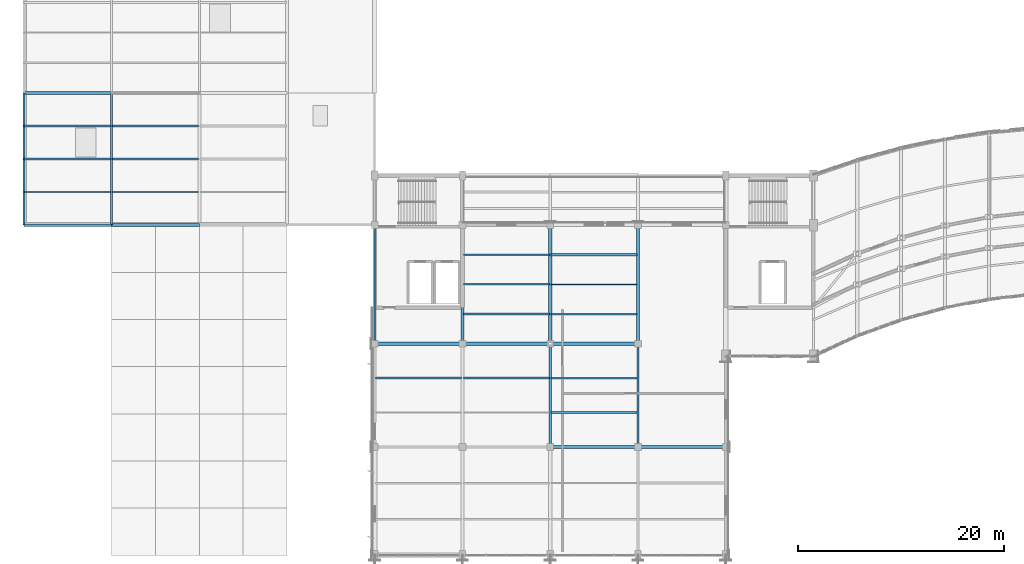
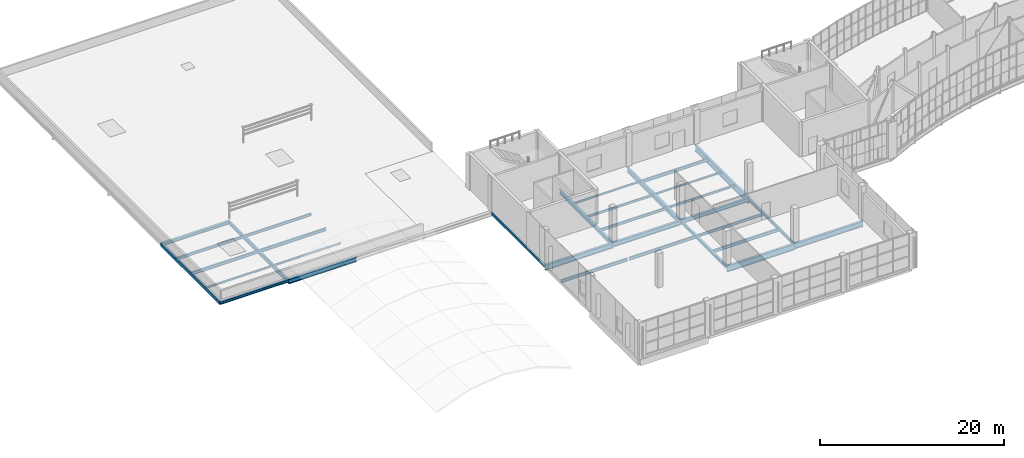
# One storey, part 8 of 66: 32 beams.
"""IFC4 building model written with IfcOpenShell, lengths in metres."""

from ifc_helpers import new_model, si_unit, direction, frame, origin, origin_2d, place, context, subcontext, project, spatial, hollow_rectangle, i_section, extrude, material, material_profile, profile_set, type_object, element, save


model = new_model("IFC4")

# Units and contexts
model_context = context("Model", 3, precision=1e-05, world=origin(), true_north=direction((0.0, 1.0)))
body_context = subcontext(model_context, "Body", "Model", "MODEL_VIEW")
ifc_project = project(units=[si_unit("LENGTHUNIT", "METRE"), si_unit("AREAUNIT", "SQUARE_METRE"), si_unit("VOLUMEUNIT", "CUBIC_METRE"), si_unit("PLANEANGLEUNIT", "RADIAN"), si_unit("MASSUNIT", "GRAM", prefix="KILO")], contexts=[model_context])

# Site, building, storey
site_placement = place(None, origin())
site = spatial("IfcSite", under=ifc_project, at=site_placement, CompositionType="ELEMENT")
building_placement = place(site_placement, origin())
building = spatial("IfcBuilding", under=site, at=building_placement, Name="Solvikara Media Centre", CompositionType="ELEMENT")
storey_placement = place(building_placement, frame((0.0, 0.0, 19.800048828125)))
storey = spatial("IfcBuildingStorey", under=building, at=storey_placement, Name="L04", CompositionType="ELEMENT", Elevation=19.800048828125)

# Beams
ifc_material = material(Name="Steel S355JR", Category="steel")
ifc_material_profile_1 = material_profile(ifc_material, i_section(OverallWidth=0.300048828125, OverallDepth=0.800048828125, WebThickness=0.013916015625, FlangeThickness=0.02587890625, at=origin_2d()), Name="WF 800x300x14x26")
ifc_profile_set_1 = profile_set([ifc_material_profile_1], Name="Steel S355JR")
beam_type_1 = type_object("IfcBeamType", Name="BM-16", PredefinedType="BEAM", material=ifc_profile_set_1)
beam_1_placement = place(storey_placement, frame((51.0, 10.5, -0.68212890625), z_axis=(1.0, 0.0, 0.0), x_axis=(0.0, 1.0, 0.0)))
element("IfcBeam", 1, at=beam_1_placement, inside=storey, type_object=beam_type_1, Name="B-L04-X1443", PredefinedType="BEAM", context=body_context, shape_type="SweptSolid", body=[
    extrude(i_section(OverallWidth=0.300048828125, OverallDepth=0.800048828125, WebThickness=0.013916015625, FlangeThickness=0.02587890625, at=origin_2d()), origin(), (0.0, 0.0, 1.0), 8.5),
])
beam_2_placement = place(storey_placement, frame((59.5, 20.5, -0.68212890625), z_axis=(0.0, 1.0, 0.0), x_axis=(-1.0, 0.0, 0.0)))
element("IfcBeam", 2, at=beam_2_placement, inside=storey, type_object=beam_type_1, Name="B-L04-Y1527", PredefinedType="BEAM", context=body_context, shape_type="SweptSolid", body=[
    extrude(i_section(OverallWidth=0.300048828125, OverallDepth=0.800048828125, WebThickness=0.013916015625, FlangeThickness=0.02587890625, at=origin_2d()), origin(), (0.0, 0.0, 1.0), 11.5),
])
ifc_material_profile_2 = material_profile(ifc_material, i_section(OverallWidth=0.300048828125, OverallDepth=0.699951171875, WebThickness=0.012939453125, FlangeThickness=0.02392578125, at=origin_2d()), Name="WF 700x300x13x24")
ifc_profile_set_2 = profile_set([ifc_material_profile_2], Name="Steel S355JR")
beam_type_2 = type_object("IfcBeamType", Name="BM-17", PredefinedType="BEAM", material=ifc_profile_set_2)
beam_3_placement = place(storey_placement, frame((59.5, 10.5, -0.632080078125), z_axis=(1.0, 0.0, 0.0), x_axis=(0.0, 1.0, 0.0)))
element("IfcBeam", 3, at=beam_3_placement, inside=storey, type_object=beam_type_2, Name="B-L04-X1444", PredefinedType="BEAM", context=body_context, shape_type="SweptSolid", body=[
    extrude(i_section(OverallWidth=0.300048828125, OverallDepth=0.699951171875, WebThickness=0.012939453125, FlangeThickness=0.02392578125, at=origin_2d()), origin(), (0.0, 0.0, 1.0), 8.5),
])
ifc_material_profile_3 = material_profile(ifc_material, i_section(OverallWidth=0.199951171875, OverallDepth=0.39990234375, WebThickness=0.008056640625, FlangeThickness=0.012939453125, at=origin_2d()), Name="WF 400x200x8x13")
ifc_profile_set_3 = profile_set([ifc_material_profile_3], Name="Steel S355JR")
beam_type_3 = type_object("IfcBeamType", Name="BM-21", PredefinedType="JOIST", material=ifc_profile_set_3)
for number, where, z_axis, x_axis, name in (
    (4, (8.577880859375, 38.39990234375, -0.43212890625), (1.0, 0.0, 0.0), (0.0, 1.0, 0.0), "J-L04-1561"),
    (5, (34.077880859375, 17.1669921875, -0.48193359375), (1.0, 0.0, 0.0), (0.0, 1.0, 0.0), "J-L04-1593"),
    (6, (51.077880859375, 29.125, -0.48193359375), (1.0, 0.0, 0.0), (0.0, 1.0, 0.0), "J-L04-1609"),
):
    element("IfcBeam", number, at=place(storey_placement, frame(where, z_axis=z_axis, x_axis=x_axis)), inside=storey, type_object=beam_type_3, Name=name, PredefinedType="JOIST", context=body_context, shape_type="SweptSolid", body=[
        extrude(i_section(OverallWidth=0.199951171875, OverallDepth=0.39990234375, WebThickness=0.008056640625, FlangeThickness=0.012939453125, at=origin_2d()), origin(), (0.0, 0.0, 1.0), 8.34423828125),
    ])
ifc_material_profile_4 = material_profile(ifc_material, i_section(OverallWidth=0.175048828125, OverallDepth=0.35009765625, WebThickness=0.007080078125, FlangeThickness=0.010986328125, at=origin_2d()), Name="WF 350x175x7x11")
ifc_profile_set_4 = profile_set([ifc_material_profile_4], Name="Steel S355JR")
beam_type_4 = type_object("IfcBeamType", Name="BM-22", PredefinedType="JOIST", material=ifc_profile_set_4)
beam_4_placement = place(storey_placement, frame((8.577880859375, 41.60009765625, -0.406982421875), z_axis=(1.0, 0.0, 0.0), x_axis=(0.0, 1.0, 0.0)))
element("IfcBeam", 7, at=beam_4_placement, inside=storey, type_object=beam_type_4, Name="J-L04-1562", PredefinedType="JOIST", context=body_context, shape_type="SweptSolid", body=[
    extrude(i_section(OverallWidth=0.175048828125, OverallDepth=0.35009765625, WebThickness=0.007080078125, FlangeThickness=0.010986328125, at=origin_2d()), origin(), (0.0, 0.0, 1.0), 8.34423828125),
])
ifc_material_profile_5 = material_profile(ifc_material, i_section(OverallWidth=0.125, OverallDepth=0.25, WebThickness=0.006103515625, FlangeThickness=0.009033203125, at=origin_2d()), Name="WF 250x125x6x9")
ifc_profile_set_5 = profile_set([ifc_material_profile_5], Name="Steel S355JR")
beam_type_5 = type_object("IfcBeamType", Name="BM-24", PredefinedType="JOIST", material=ifc_profile_set_5)
beam_5_placement = place(storey_placement, frame((0.0, 35.199951171875, -0.35693359375), z_axis=(1.0, 0.0, 0.0), x_axis=(0.0, 1.0, 0.0)))
element("IfcBeam", 8, at=beam_5_placement, inside=storey, type_object=beam_type_5, Name="J-L04-1548", PredefinedType="JOIST", context=body_context, shape_type="SweptSolid", body=[
    extrude(i_section(OverallWidth=0.125, OverallDepth=0.25, WebThickness=0.006103515625, FlangeThickness=0.009033203125, at=origin_2d()), origin(), (0.0, 0.0, 1.0), 8.422119140625),
])
ifc_material_profile_6 = material_profile(ifc_material, i_section(OverallWidth=0.300048828125, OverallDepth=0.69189453125, WebThickness=0.012939453125, FlangeThickness=0.02001953125, at=origin_2d()), Name="H 692x300x13x20")
ifc_profile_set_6 = profile_set([ifc_material_profile_6], Name="Steel S355JR")
beam_type_6 = type_object("IfcBeamType", Name="BM-25", PredefinedType="BEAM", material=ifc_profile_set_6)
beam_6_placement = place(storey_placement, frame((34.0, 20.5, -0.6279296875), z_axis=(1.0, 0.0, 0.0), x_axis=(0.0, 1.0, 0.0)))
element("IfcBeam", 9, at=beam_6_placement, inside=storey, type_object=beam_type_6, Name="B-L04-X1447", PredefinedType="BEAM", context=body_context, shape_type="SweptSolid", body=[
    extrude(i_section(OverallWidth=0.300048828125, OverallDepth=0.69189453125, WebThickness=0.012939453125, FlangeThickness=0.02001953125, at=origin_2d()), origin(), (0.0, 0.0, 1.0), 8.5),
])
ifc_material_profile_7 = material_profile(ifc_material, i_section(OverallWidth=0.300048828125, OverallDepth=0.587890625, WebThickness=0.011962890625, FlangeThickness=0.02001953125, at=origin_2d()), Name="H 588x300x12x20")
ifc_profile_set_7 = profile_set([ifc_material_profile_7], Name="Steel S355JR")
beam_type_7 = type_object("IfcBeamType", Name="BM-26", PredefinedType="BEAM", material=ifc_profile_set_7)
beam_7_placement = place(storey_placement, frame((42.5, 20.5, -0.575927734375), z_axis=(1.0, 0.0, 0.0), x_axis=(0.0, 1.0, 0.0)))
element("IfcBeam", 10, at=beam_7_placement, inside=storey, type_object=beam_type_7, Name="B-L04-X1448", PredefinedType="BEAM", context=body_context, shape_type="SweptSolid", body=[
    extrude(i_section(OverallWidth=0.300048828125, OverallDepth=0.587890625, WebThickness=0.011962890625, FlangeThickness=0.02001953125, at=origin_2d()), origin(), (0.0, 0.0, 1.0), 8.5),
])
ifc_material_profile_8 = material_profile(ifc_material, i_section(OverallWidth=0.300048828125, OverallDepth=0.488037109375, WebThickness=0.010986328125, FlangeThickness=0.01806640625, at=origin_2d()), Name="H 488x300x11x18")
ifc_profile_set_8 = profile_set([ifc_material_profile_8], Name="Steel S355JR")
beam_type_8 = type_object("IfcBeamType", Name="BM-27", PredefinedType="BEAM", material=ifc_profile_set_8)
beam_8_placement = place(storey_placement, frame((51.0, 20.5, -0.526123046875), z_axis=(1.0, 0.0, 0.0), x_axis=(0.0, 1.0, 0.0)))
element("IfcBeam", 11, at=beam_8_placement, inside=storey, type_object=beam_type_8, Name="B-L04-X1449", PredefinedType="BEAM", context=body_context, shape_type="SweptSolid", body=[
    extrude(i_section(OverallWidth=0.300048828125, OverallDepth=0.488037109375, WebThickness=0.010986328125, FlangeThickness=0.01806640625, at=origin_2d()), origin(), (0.0, 0.0, 1.0), 8.5),
])
beam_9_placement = place(storey_placement, frame((42.5, 20.5, -0.526123046875), z_axis=(0.0, 1.0, 0.0), x_axis=(-1.0, 0.0, 0.0)))
element("IfcBeam", 12, at=beam_9_placement, inside=storey, type_object=beam_type_8, Name="B-L04-Y1519", PredefinedType="BEAM", context=body_context, shape_type="SweptSolid", body=[
    extrude(i_section(OverallWidth=0.300048828125, OverallDepth=0.488037109375, WebThickness=0.010986328125, FlangeThickness=0.01806640625, at=origin_2d()), origin(), (0.0, 0.0, 1.0), 11.5),
])
ifc_material_profile_9 = material_profile(ifc_material, i_section(OverallWidth=0.300048828125, OverallDepth=0.389892578125, WebThickness=0.010009765625, FlangeThickness=0.01611328125, at=origin_2d()), Name="H 390x300x10x16")
ifc_profile_set_9 = profile_set([ifc_material_profile_9], Name="Steel S355JR")
beam_type_9 = type_object("IfcBeamType", Name="BM-29", PredefinedType="BEAM", material=ifc_profile_set_9)
beam_10_placement = place(storey_placement, frame((0.0, 44.800048828125, -0.427001953125), z_axis=(1.0, 0.0, 0.0), x_axis=(0.0, 1.0, 0.0)))
element("IfcBeam", 13, at=beam_10_placement, inside=storey, type_object=beam_type_9, Name="B-L04-X1465", PredefinedType="BEAM", context=body_context, shape_type="SweptSolid", body=[
    extrude(i_section(OverallWidth=0.300048828125, OverallDepth=0.389892578125, WebThickness=0.010009765625, FlangeThickness=0.01611328125, at=origin_2d()), origin(), (0.0, 0.0, 1.0), 8.5),
])
ifc_material_profile_10 = material_profile(ifc_material, i_section(OverallWidth=0.25, OverallDepth=0.340087890625, WebThickness=0.009033203125, FlangeThickness=0.013916015625, at=origin_2d()), Name="H 340x250x9x14")
ifc_profile_set_10 = profile_set([ifc_material_profile_10], Name="Steel S355JR")
beam_type_10 = type_object("IfcBeamType", Name="BM-30", PredefinedType="BEAM", material=ifc_profile_set_10)
beam_11_placement = place(storey_placement, frame((0.0, 32.0, -0.402099609375), z_axis=(1.0, 0.0, 0.0), x_axis=(0.0, 1.0, 0.0)))
element("IfcBeam", 14, at=beam_11_placement, inside=storey, type_object=beam_type_10, Name="B-L04-X1452", PredefinedType="BEAM", context=body_context, shape_type="SweptSolid", body=[
    extrude(i_section(OverallWidth=0.25, OverallDepth=0.340087890625, WebThickness=0.009033203125, FlangeThickness=0.013916015625, at=origin_2d()), origin(), (0.0, 0.0, 1.0), 8.5),
])
beam_12_placement = place(storey_placement, frame((51.0, 10.5, -0.4521484375), z_axis=(0.0, 1.0, 0.0), x_axis=(-1.0, 0.0, 0.0)))
element("IfcBeam", 15, at=beam_12_placement, inside=storey, type_object=beam_type_10, Name="B-L04-Y1522", PredefinedType="BEAM", context=body_context, shape_type="SweptSolid", body=[
    extrude(i_section(OverallWidth=0.25, OverallDepth=0.340087890625, WebThickness=0.009033203125, FlangeThickness=0.013916015625, at=origin_2d()), origin(), (0.0, 0.0, 1.0), 10.0),
])
ifc_material_profile_11 = material_profile(ifc_material, hollow_rectangle(XDim=0.199951171875, YDim=0.39990234375, WallThickness=0.011962890625, at=origin_2d()), Name="RHS 400x200x12")
ifc_profile_set_11 = profile_set([ifc_material_profile_11], Name="Steel S355JR")
beam_type_11 = type_object("IfcBeamType", Name="BM-33", PredefinedType="SPANDREL", material=ifc_profile_set_11)
beam_13_placement = place(storey_placement, frame((0.0, 32.0, -0.43212890625), z_axis=(0.0, 1.0, 0.0), x_axis=(-1.0, 0.0, 0.0)))
element("IfcBeam", 16, at=beam_13_placement, inside=storey, type_object=beam_type_11, Name="B-L04-Y1491", PredefinedType="SPANDREL", context=body_context, shape_type="SweptSolid", body=[
    extrude(hollow_rectangle(XDim=0.199951171875, YDim=0.39990234375, WallThickness=0.011962890625, at=origin_2d()), origin(), (0.0, 0.0, 1.0), 12.800048828125),
])
ifc_material_profile_12 = material_profile(ifc_material, hollow_rectangle(XDim=0.175048828125, YDim=0.35009765625, WallThickness=0.010009765625, at=origin_2d()), Name="RHS 350x175x10")
ifc_profile_set_12 = profile_set([ifc_material_profile_12], Name="Steel S355JR")
beam_type_12 = type_object("IfcBeamType", Name="BM-34", PredefinedType="SPANDREL", material=ifc_profile_set_12)
beam_14_placement = place(storey_placement, frame((34.0, 20.5, -0.45703125), z_axis=(0.0, 1.0, 0.0), x_axis=(-1.0, 0.0, 0.0)))
element("IfcBeam", 17, at=beam_14_placement, inside=storey, type_object=beam_type_12, Name="B-L04-Y1510", PredefinedType="SPANDREL", context=body_context, shape_type="SweptSolid", body=[
    extrude(hollow_rectangle(XDim=0.175048828125, YDim=0.35009765625, WallThickness=0.010009765625, at=origin_2d()), origin(), (0.0, 0.0, 1.0), 11.5),
])
ifc_material_profile_13 = material_profile(ifc_material, i_section(OverallWidth=0.198974609375, OverallDepth=0.39599609375, WebThickness=0.007080078125, FlangeThickness=0.010986328125, at=origin_2d()), Name="WF 396x199x7x11")
ifc_profile_set_13 = profile_set([ifc_material_profile_13], Name="Steel S355JR")
beam_type_13 = type_object("IfcBeamType", Name="BM-37", PredefinedType="JOIST", material=ifc_profile_set_13)
beam_15_placement = place(storey_placement, frame((0.0, 38.39990234375, -0.429931640625), z_axis=(1.0, 0.0, 0.0), x_axis=(0.0, 1.0, 0.0)))
element("IfcBeam", 18, at=beam_15_placement, inside=storey, type_object=beam_type_13, Name="J-L04-1549", PredefinedType="JOIST", context=body_context, shape_type="SweptSolid", body=[
    extrude(i_section(OverallWidth=0.198974609375, OverallDepth=0.39599609375, WebThickness=0.007080078125, FlangeThickness=0.010986328125, at=origin_2d()), origin(), (0.0, 0.0, 1.0), 8.422119140625),
])
for number, where, z_axis, x_axis, name in (
    (19, (42.577880859375, 17.1669921875, -0.47998046875), (1.0, 0.0, 0.0), (0.0, 1.0, 0.0), "J-L04-1597"),
    (20, (51.077880859375, 13.8330078125, -0.47998046875), (1.0, 0.0, 0.0), (0.0, 1.0, 0.0), "J-L04-1605"),
):
    element("IfcBeam", number, at=place(storey_placement, frame(where, z_axis=z_axis, x_axis=x_axis)), inside=storey, type_object=beam_type_13, Name=name, PredefinedType="JOIST", context=body_context, shape_type="SweptSolid", body=[
        extrude(i_section(OverallWidth=0.198974609375, OverallDepth=0.39599609375, WebThickness=0.007080078125, FlangeThickness=0.010986328125, at=origin_2d()), origin(), (0.0, 0.0, 1.0), 8.34423828125),
    ])
ifc_material_profile_14 = material_profile(ifc_material, i_section(OverallWidth=0.174072265625, OverallDepth=0.345947265625, WebThickness=0.006103515625, FlangeThickness=0.009033203125, at=origin_2d()), Name="WF 346x174x6x9")
ifc_profile_set_14 = profile_set([ifc_material_profile_14], Name="Steel S355JR")
beam_type_14 = type_object("IfcBeamType", Name="BM-38", PredefinedType="JOIST", material=ifc_profile_set_14)
beam_16_placement = place(storey_placement, frame((0.0, 41.60009765625, -0.405029296875), z_axis=(1.0, 0.0, 0.0), x_axis=(0.0, 1.0, 0.0)))
element("IfcBeam", 21, at=beam_16_placement, inside=storey, type_object=beam_type_14, Name="J-L04-1550", PredefinedType="JOIST", context=body_context, shape_type="SweptSolid", body=[
    extrude(i_section(OverallWidth=0.174072265625, OverallDepth=0.345947265625, WebThickness=0.006103515625, FlangeThickness=0.009033203125, at=origin_2d()), origin(), (0.0, 0.0, 1.0), 8.422119140625),
])
for number, where, z_axis, x_axis, name in (
    (22, (42.577880859375, 23.375, -0.455078125), (1.0, 0.0, 0.0), (0.0, 1.0, 0.0), "J-L04-1598"),
    (23, (51.077880859375, 17.1669921875, -0.455078125), (1.0, 0.0, 0.0), (0.0, 1.0, 0.0), "J-L04-1606"),
):
    element("IfcBeam", number, at=place(storey_placement, frame(where, z_axis=z_axis, x_axis=x_axis)), inside=storey, type_object=beam_type_14, Name=name, PredefinedType="JOIST", context=body_context, shape_type="SweptSolid", body=[
        extrude(i_section(OverallWidth=0.174072265625, OverallDepth=0.345947265625, WebThickness=0.006103515625, FlangeThickness=0.009033203125, at=origin_2d()), origin(), (0.0, 0.0, 1.0), 8.34423828125),
    ])
ifc_material_profile_15 = material_profile(ifc_material, i_section(OverallWidth=0.14892578125, OverallDepth=0.298095703125, WebThickness=0.005615234375, FlangeThickness=0.008056640625, at=origin_2d()), Name="WF 298x149x5.5x8")
ifc_profile_set_15 = profile_set([ifc_material_profile_15], Name="Steel S355JR")
beam_type_15 = type_object("IfcBeamType", Name="BM-39", PredefinedType="JOIST", material=ifc_profile_set_15)
for number, where, z_axis, x_axis, name in (
    (24, (42.577880859375, 26.25, -0.43115234375), (1.0, 0.0, 0.0), (0.0, 1.0, 0.0), "J-L04-1599"),
    (25, (51.077880859375, 23.375, -0.43115234375), (1.0, 0.0, 0.0), (0.0, 1.0, 0.0), "J-L04-1607"),
):
    element("IfcBeam", number, at=place(storey_placement, frame(where, z_axis=z_axis, x_axis=x_axis)), inside=storey, type_object=beam_type_15, Name=name, PredefinedType="JOIST", context=body_context, shape_type="SweptSolid", body=[
        extrude(i_section(OverallWidth=0.14892578125, OverallDepth=0.298095703125, WebThickness=0.005615234375, FlangeThickness=0.008056640625, at=origin_2d()), origin(), (0.0, 0.0, 1.0), 8.34423828125),
    ])
ifc_material_profile_16 = material_profile(ifc_material, i_section(OverallWidth=0.1240234375, OverallDepth=0.248046875, WebThickness=0.0048828125, FlangeThickness=0.008056640625, at=origin_2d()), Name="WF 248x124x5x8")
ifc_profile_set_16 = profile_set([ifc_material_profile_16], Name="Steel S355JR")
beam_type_16 = type_object("IfcBeamType", Name="BM-40", PredefinedType="JOIST", material=ifc_profile_set_16)
for number, where, z_axis, x_axis, name in (
    (26, (8.577880859375, 35.199951171875, -0.35595703125), (1.0, 0.0, 0.0), (0.0, 1.0, 0.0), "J-L04-1560"),
    (27, (42.577880859375, 29.125, -0.406005859375), (1.0, 0.0, 0.0), (0.0, 1.0, 0.0), "J-L04-1600"),
    (28, (51.077880859375, 26.25, -0.406005859375), (1.0, 0.0, 0.0), (0.0, 1.0, 0.0), "J-L04-1608"),
):
    element("IfcBeam", number, at=place(storey_placement, frame(where, z_axis=z_axis, x_axis=x_axis)), inside=storey, type_object=beam_type_16, Name=name, PredefinedType="JOIST", context=body_context, shape_type="SweptSolid", body=[
        extrude(i_section(OverallWidth=0.1240234375, OverallDepth=0.248046875, WebThickness=0.0048828125, FlangeThickness=0.008056640625, at=origin_2d()), origin(), (0.0, 0.0, 1.0), 8.34423828125),
    ])
ifc_material_profile_17 = material_profile(ifc_material, i_section(OverallWidth=0.302001953125, OverallDepth=0.593994140625, WebThickness=0.013916015625, FlangeThickness=0.02294921875, at=origin_2d()), Name="H 594x302x14x23")
ifc_profile_set_17 = profile_set([ifc_material_profile_17], Name="Steel S355JR")
beam_type_17 = type_object("IfcBeamType", Name="BM-41", PredefinedType="BEAM", material=ifc_profile_set_17)
beam_17_placement = place(storey_placement, frame((8.5, 32.0, -0.529052734375), z_axis=(1.0, 0.0, 0.0), x_axis=(0.0, 1.0, 0.0)))
element("IfcBeam", 29, at=beam_17_placement, inside=storey, type_object=beam_type_17, Name="B-L04-X1453", PredefinedType="BEAM", context=body_context, shape_type="SweptSolid", body=[
    extrude(i_section(OverallWidth=0.302001953125, OverallDepth=0.593994140625, WebThickness=0.013916015625, FlangeThickness=0.02294921875, at=origin_2d()), origin(), (0.0, 0.0, 1.0), 8.5),
])
beam_18_placement = place(storey_placement, frame((51.0, 20.5, -0.5791015625), z_axis=(0.0, 1.0, 0.0), x_axis=(-1.0, 0.0, 0.0)))
element("IfcBeam", 30, at=beam_18_placement, inside=storey, type_object=beam_type_17, Name="B-L04-Y1523", PredefinedType="BEAM", context=body_context, shape_type="SweptSolid", body=[
    extrude(i_section(OverallWidth=0.302001953125, OverallDepth=0.593994140625, WebThickness=0.013916015625, FlangeThickness=0.02294921875, at=origin_2d()), origin(), (0.0, 0.0, 1.0), 11.5),
])
ifc_material_profile_18 = material_profile(ifc_material, i_section(OverallWidth=0.198974609375, OverallDepth=0.49609375, WebThickness=0.009033203125, FlangeThickness=0.013916015625, at=origin_2d()), Name="H 496x199x9x14")
ifc_profile_set_18 = profile_set([ifc_material_profile_18], Name="Steel S355JR")
beam_type_18 = type_object("IfcBeamType", Name="BM-42", PredefinedType="BEAM", material=ifc_profile_set_18)
beam_19_placement = place(storey_placement, frame((8.5, 32.0, -0.47998046875), z_axis=(0.0, 1.0, 0.0), x_axis=(-1.0, 0.0, 0.0)))
element("IfcBeam", 31, at=beam_19_placement, inside=storey, type_object=beam_type_18, Name="B-L04-Y1496", PredefinedType="BEAM", context=body_context, shape_type="SweptSolid", body=[
    extrude(i_section(OverallWidth=0.198974609375, OverallDepth=0.49609375, WebThickness=0.009033203125, FlangeThickness=0.013916015625, at=origin_2d()), origin(), (0.0, 0.0, 1.0), 12.800048828125),
])
ifc_material_profile_19 = material_profile(ifc_material, i_section(OverallWidth=0.198974609375, OverallDepth=0.39599609375, WebThickness=0.007080078125, FlangeThickness=0.010986328125, at=origin_2d()), Name="H 396x199x7x11")
ifc_profile_set_19 = profile_set([ifc_material_profile_19], Name="Steel S355JR")
beam_type_19 = type_object("IfcBeamType", Name="BM-44", PredefinedType="BEAM", material=ifc_profile_set_19)
beam_20_placement = place(storey_placement, frame((59.5, 10.5, -0.47998046875), z_axis=(0.0, 1.0, 0.0), x_axis=(-1.0, 0.0, 0.0)))
element("IfcBeam", 32, at=beam_20_placement, inside=storey, type_object=beam_type_19, Name="B-L04-Y1526", PredefinedType="BEAM", context=body_context, shape_type="SweptSolid", body=[
    extrude(i_section(OverallWidth=0.198974609375, OverallDepth=0.39599609375, WebThickness=0.007080078125, FlangeThickness=0.010986328125, at=origin_2d()), origin(), (0.0, 0.0, 1.0), 10.0),
])

save(model, "model.ifc")
